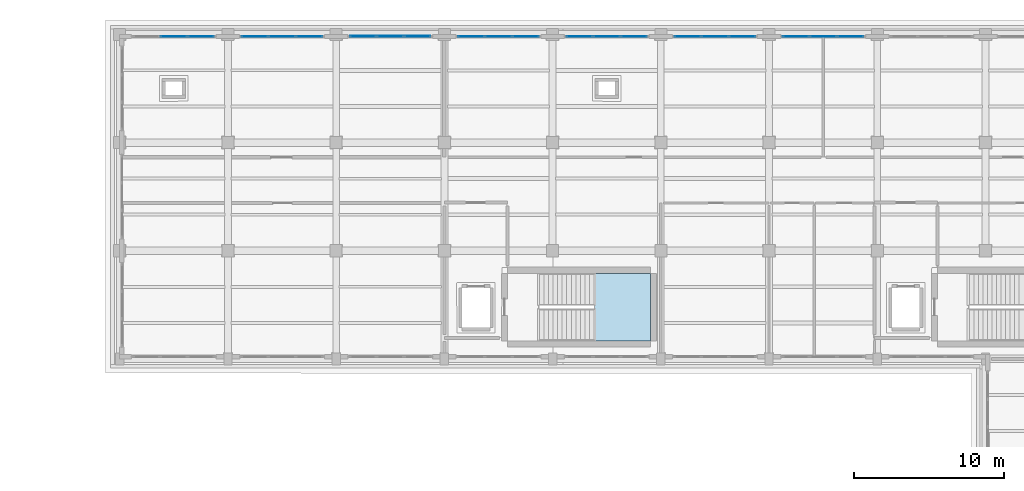
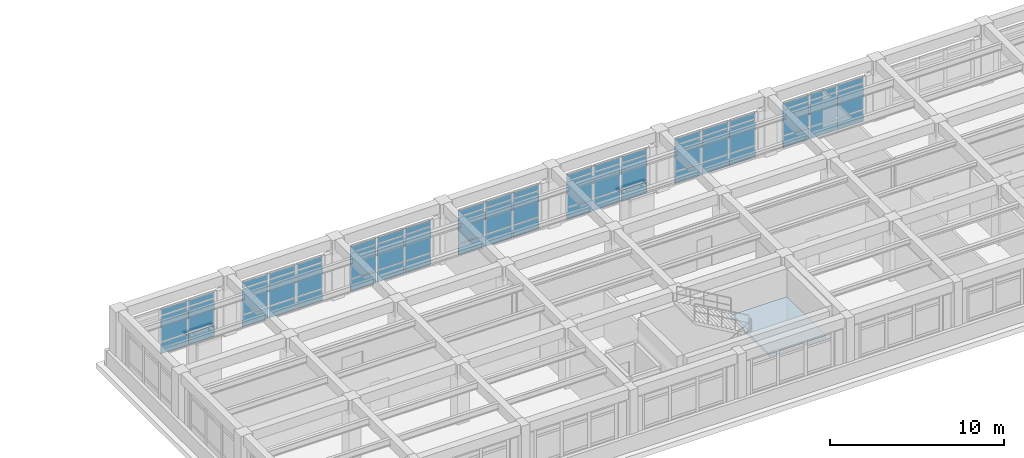
# One storey, part 74 of 98: 60 plates, 1 slab, 8 elements without a shape of their own.
"""IFC4 building model written with IfcOpenShell, lengths in metres."""

from ifc_helpers import new_model, si_unit, direction, frame, origin, origin_2d, place, context, subcontext, project, spatial, polyline, rectangle, outline, extrude, material, layer, layer_set, type_object, element, aggregate, save


model = new_model("IFC4")

# Units and contexts
model_context = context("Model", 3, precision=1e-05, world=origin(), true_north=direction((0.0, 1.0)))
body_context = subcontext(model_context, "Body", "Model", "MODEL_VIEW")
ifc_project = project(units=[si_unit("LENGTHUNIT", "METRE"), si_unit("AREAUNIT", "SQUARE_METRE"), si_unit("VOLUMEUNIT", "CUBIC_METRE"), si_unit("PLANEANGLEUNIT", "RADIAN"), si_unit("MASSUNIT", "GRAM", prefix="KILO")], contexts=[model_context])

# Site, building, storey
site_placement = place(None, origin())
site = spatial("IfcSite", under=ifc_project, at=site_placement, CompositionType="ELEMENT")
building_placement = place(site_placement, origin())
building = spatial("IfcBuilding", under=site, at=building_placement, Name="Solenvale Faculty of Natural Sciences", CompositionType="ELEMENT")
storey_placement = place(building_placement, frame((0.0, 0.0, 9.0)))
storey = spatial("IfcBuildingStorey", under=building, at=storey_placement, Name="L02", CompositionType="ELEMENT", Elevation=9.0)

# Curtain wall, plates
ifc_material_1 = material(Name="Anodised bronze aluminium", Category="aluminium")
ifc_layer_1 = layer(ifc_material_1, 0.179931640625)
ifc_layer_set_1 = layer_set([ifc_layer_1], Name="Anodised bronze aluminium")
curtain_wall_type = type_object("IfcCurtainWallType", Name="CW-TWR-MOD", PredefinedType="USERDEFINED", material=ifc_layer_set_1)
curtain_wall_1_placement = place(storey_placement, origin())
curtain_wall_1 = element("IfcCurtainWall", 1, at=curtain_wall_1_placement, inside=storey, type_object=curtain_wall_type, Name="L02 Curtain Wall CW-L02-P2-E4-B9", ObjectType="UNITISED CURTAIN WALL", PredefinedType="USERDEFINED")
ifc_material_2 = material(Name="North-light skylight glass", Category="glass")
ifc_layer_2 = layer(ifc_material_2, 0.028076171875)
ifc_layer_set_2 = layer_set([ifc_layer_2], Name="North-light skylight glass")
plate_type_1 = type_object("IfcPlateType", Name="CWP-PNL-28", PredefinedType="CURTAIN_PANEL", material=ifc_layer_set_2)
plate_1_placement = place(storey_placement, frame((91.814697265625, 115.0576171875, 0.074951171875), z_axis=(0.0, 0.0, 1.0), x_axis=(-1.0, 0.0, 0.0)))
plate_1 = element("IfcPlate", 2, at=plate_1_placement, type_object=plate_type_1, Name="CW-04 panel 1.1", PredefinedType="CURTAIN_PANEL", context=body_context, shape_type="SweptSolid", body=[
    extrude(rectangle(XDim=1.720947265625, YDim=0.028076171875, at=origin_2d()), origin(), (0.0, 0.0, 1.0), 0.78759765625),
])
plate_2_placement = place(storey_placement, frame((91.814697265625, 115.0576171875, 0.9375), z_axis=(0.0, 0.0, 1.0), x_axis=(-1.0, 0.0, 0.0)))
plate_2 = element("IfcPlate", 3, at=plate_2_placement, type_object=plate_type_1, Name="CW-04 panel 1.2", PredefinedType="CURTAIN_PANEL", context=body_context, shape_type="SweptSolid", body=[
    extrude(rectangle(XDim=1.720947265625, YDim=0.028076171875, at=origin_2d()), origin(), (0.0, 0.0, 1.0), 1.784912109375),
])
plate_3_placement = place(storey_placement, frame((91.814697265625, 115.0576171875, 2.79736328125), z_axis=(0.0, 0.0, 1.0), x_axis=(-1.0, 0.0, 0.0)))
plate_3 = element("IfcPlate", 4, at=plate_3_placement, type_object=plate_type_1, Name="CW-04 panel 1.3", PredefinedType="CURTAIN_PANEL", context=body_context, shape_type="SweptSolid", body=[
    extrude(rectangle(XDim=1.720947265625, YDim=0.028076171875, at=origin_2d()), origin(), (0.0, 0.0, 1.0), 0.387451171875),
])
plate_4_placement = place(storey_placement, frame((90.0, 115.0576171875, 0.074951171875), z_axis=(0.0, 0.0, 1.0), x_axis=(-1.0, 0.0, 0.0)))
plate_4 = element("IfcPlate", 5, at=plate_4_placement, type_object=plate_type_1, Name="CW-04 panel 2.1", PredefinedType="CURTAIN_PANEL", context=body_context, shape_type="SweptSolid", body=[
    extrude(rectangle(XDim=1.75830078125, YDim=0.028076171875, at=origin_2d()), origin(), (0.0, 0.0, 1.0), 0.78759765625),
])
plate_5_placement = place(storey_placement, frame((90.0, 115.0576171875, 0.9375), z_axis=(0.0, 0.0, 1.0), x_axis=(-1.0, 0.0, 0.0)))
plate_5 = element("IfcPlate", 6, at=plate_5_placement, type_object=plate_type_1, Name="CW-04 panel 2.2", PredefinedType="CURTAIN_PANEL", context=body_context, shape_type="SweptSolid", body=[
    extrude(rectangle(XDim=1.75830078125, YDim=0.028076171875, at=origin_2d()), origin(), (0.0, 0.0, 1.0), 1.784912109375),
])
plate_6_placement = place(storey_placement, frame((90.0, 115.0576171875, 2.79736328125), z_axis=(0.0, 0.0, 1.0), x_axis=(-1.0, 0.0, 0.0)))
plate_6 = element("IfcPlate", 7, at=plate_6_placement, type_object=plate_type_1, Name="CW-04 panel 2.3", PredefinedType="CURTAIN_PANEL", context=body_context, shape_type="SweptSolid", body=[
    extrude(rectangle(XDim=1.75830078125, YDim=0.028076171875, at=origin_2d()), origin(), (0.0, 0.0, 1.0), 0.387451171875),
])
plate_7_placement = place(storey_placement, frame((88.185302734375, 115.0576171875, 0.074951171875), z_axis=(0.0, 0.0, 1.0), x_axis=(-1.0, 0.0, 0.0)))
plate_7 = element("IfcPlate", 8, at=plate_7_placement, type_object=plate_type_1, Name="CW-04 panel 3.1", PredefinedType="CURTAIN_PANEL", context=body_context, shape_type="SweptSolid", body=[
    extrude(rectangle(XDim=1.720947265625, YDim=0.028076171875, at=origin_2d()), origin(), (0.0, 0.0, 1.0), 0.78759765625),
])
plate_8_placement = place(storey_placement, frame((88.185302734375, 115.0576171875, 0.9375), z_axis=(0.0, 0.0, 1.0), x_axis=(-1.0, 0.0, 0.0)))
plate_8 = element("IfcPlate", 9, at=plate_8_placement, type_object=plate_type_1, Name="CW-04 panel 3.2", PredefinedType="CURTAIN_PANEL", context=body_context, shape_type="SweptSolid", body=[
    extrude(rectangle(XDim=1.720947265625, YDim=0.028076171875, at=origin_2d()), origin(), (0.0, 0.0, 1.0), 1.784912109375),
])
plate_9_placement = place(storey_placement, frame((88.185302734375, 115.0576171875, 2.79736328125), z_axis=(0.0, 0.0, 1.0), x_axis=(-1.0, 0.0, 0.0)))
plate_9 = element("IfcPlate", 10, at=plate_9_placement, type_object=plate_type_1, Name="CW-04 panel 3.3", PredefinedType="CURTAIN_PANEL", context=body_context, shape_type="SweptSolid", body=[
    extrude(rectangle(XDim=1.720947265625, YDim=0.028076171875, at=origin_2d()), origin(), (0.0, 0.0, 1.0), 0.387451171875),
])
aggregate(curtain_wall_1, [plate_1, plate_2, plate_3, plate_4, plate_5, plate_6, plate_7, plate_8, plate_9])

curtain_wall_2_placement = place(storey_placement, origin())
curtain_wall_2 = element("IfcCurtainWall", 11, at=curtain_wall_2_placement, inside=storey, type_object=curtain_wall_type, Name="L02 Curtain Wall CW-L02-P2-E4-B10", ObjectType="UNITISED CURTAIN WALL", PredefinedType="USERDEFINED")
ifc_material_3 = material(Name="Triple low-E insulated glass", Category="glass")
ifc_layer_3 = layer(ifc_material_3, 0.031982421875)
ifc_layer_set_3 = layer_set([ifc_layer_3], Name="Triple low-E insulated glass")
plate_type_2 = type_object("IfcPlateType", Name="CWP-PNL-32", PredefinedType="CURTAIN_PANEL", material=ifc_layer_set_3)
plate_10_placement = place(storey_placement, frame((84.614501953125, 115.0576171875, 0.074951171875), z_axis=(0.0, 0.0, 1.0), x_axis=(-1.0, 0.0, 0.0)))
plate_10 = element("IfcPlate", 12, at=plate_10_placement, type_object=plate_type_2, Name="CW-04 panel 1.1", PredefinedType="CURTAIN_PANEL", context=body_context, shape_type="SweptSolid", body=[
    extrude(rectangle(XDim=1.720947265625, YDim=0.031982421875, at=origin_2d()), origin(), (0.0, 0.0, 1.0), 0.78759765625),
])
plate_11_placement = place(storey_placement, frame((84.614501953125, 115.0576171875, 0.9375), z_axis=(0.0, 0.0, 1.0), x_axis=(-1.0, 0.0, 0.0)))
plate_11 = element("IfcPlate", 13, at=plate_11_placement, type_object=plate_type_2, Name="CW-04 panel 1.2", PredefinedType="CURTAIN_PANEL", context=body_context, shape_type="SweptSolid", body=[
    extrude(rectangle(XDim=1.720947265625, YDim=0.031982421875, at=origin_2d()), origin(), (0.0, 0.0, 1.0), 1.784912109375),
])
plate_12_placement = place(storey_placement, frame((84.614501953125, 115.0576171875, 2.79736328125), z_axis=(0.0, 0.0, 1.0), x_axis=(-1.0, 0.0, 0.0)))
plate_12 = element("IfcPlate", 14, at=plate_12_placement, type_object=plate_type_2, Name="CW-04 panel 1.3", PredefinedType="CURTAIN_PANEL", context=body_context, shape_type="SweptSolid", body=[
    extrude(rectangle(XDim=1.720947265625, YDim=0.031982421875, at=origin_2d()), origin(), (0.0, 0.0, 1.0), 0.387451171875),
])
plate_13_placement = place(storey_placement, frame((82.800048828125, 115.0576171875, 0.074951171875), z_axis=(0.0, 0.0, 1.0), x_axis=(-1.0, 0.0, 0.0)))
plate_13 = element("IfcPlate", 15, at=plate_13_placement, type_object=plate_type_2, Name="CW-04 panel 2.1", PredefinedType="CURTAIN_PANEL", context=body_context, shape_type="SweptSolid", body=[
    extrude(rectangle(XDim=1.75830078125, YDim=0.031982421875, at=origin_2d()), origin(), (0.0, 0.0, 1.0), 0.78759765625),
])
plate_14_placement = place(storey_placement, frame((82.800048828125, 115.0576171875, 0.9375), z_axis=(0.0, 0.0, 1.0), x_axis=(-1.0, 0.0, 0.0)))
plate_14 = element("IfcPlate", 16, at=plate_14_placement, type_object=plate_type_2, Name="CW-04 panel 2.2", PredefinedType="CURTAIN_PANEL", context=body_context, shape_type="SweptSolid", body=[
    extrude(rectangle(XDim=1.75830078125, YDim=0.031982421875, at=origin_2d()), origin(), (0.0, 0.0, 1.0), 1.784912109375),
])
plate_15_placement = place(storey_placement, frame((82.800048828125, 115.0576171875, 2.79736328125), z_axis=(0.0, 0.0, 1.0), x_axis=(-1.0, 0.0, 0.0)))
plate_15 = element("IfcPlate", 17, at=plate_15_placement, type_object=plate_type_2, Name="CW-04 panel 2.3", PredefinedType="CURTAIN_PANEL", context=body_context, shape_type="SweptSolid", body=[
    extrude(rectangle(XDim=1.75830078125, YDim=0.031982421875, at=origin_2d()), origin(), (0.0, 0.0, 1.0), 0.387451171875),
])
aggregate(curtain_wall_2, [plate_10, plate_11, plate_12, plate_13, plate_14, plate_15])

curtain_wall_3_placement = place(storey_placement, origin())
curtain_wall_3 = element("IfcCurtainWall", 18, at=curtain_wall_3_placement, inside=storey, type_object=curtain_wall_type, Name="L02 Curtain Wall CW-L02-P2-E4-B4", ObjectType="UNITISED CURTAIN WALL", PredefinedType="USERDEFINED")
ifc_layer_4 = layer(ifc_material_3, 0.0400390625)
ifc_layer_set_4 = layer_set([ifc_layer_4], Name="Triple low-E insulated glass")
plate_type_3 = type_object("IfcPlateType", Name="CWP-PNL-40", PredefinedType="CURTAIN_PANEL", material=ifc_layer_set_4)
plate_16_placement = place(storey_placement, frame((127.814697265625, 115.0576171875, 0.074951171875), z_axis=(0.0, 0.0, 1.0), x_axis=(-1.0, 0.0, 0.0)))
plate_16 = element("IfcPlate", 19, at=plate_16_placement, type_object=plate_type_3, Name="CW-04 panel 1.1", PredefinedType="CURTAIN_PANEL", context=body_context, shape_type="SweptSolid", body=[
    extrude(rectangle(XDim=1.720947265625, YDim=0.0400390625, at=origin_2d()), origin(), (0.0, 0.0, 1.0), 0.78759765625),
])
plate_17_placement = place(storey_placement, frame((127.814697265625, 115.0576171875, 0.9375), z_axis=(0.0, 0.0, 1.0), x_axis=(-1.0, 0.0, 0.0)))
plate_17 = element("IfcPlate", 20, at=plate_17_placement, type_object=plate_type_3, Name="CW-04 panel 1.2", PredefinedType="CURTAIN_PANEL", context=body_context, shape_type="SweptSolid", body=[
    extrude(rectangle(XDim=1.720947265625, YDim=0.0400390625, at=origin_2d()), origin(), (0.0, 0.0, 1.0), 1.784912109375),
])
plate_18_placement = place(storey_placement, frame((127.814697265625, 115.0576171875, 2.79736328125), z_axis=(0.0, 0.0, 1.0), x_axis=(-1.0, 0.0, 0.0)))
plate_18 = element("IfcPlate", 21, at=plate_18_placement, type_object=plate_type_3, Name="CW-04 panel 1.3", PredefinedType="CURTAIN_PANEL", context=body_context, shape_type="SweptSolid", body=[
    extrude(rectangle(XDim=1.720947265625, YDim=0.0400390625, at=origin_2d()), origin(), (0.0, 0.0, 1.0), 0.387451171875),
])
plate_19_placement = place(storey_placement, frame((126.0, 115.0576171875, 0.074951171875), z_axis=(0.0, 0.0, 1.0), x_axis=(-1.0, 0.0, 0.0)))
plate_19 = element("IfcPlate", 22, at=plate_19_placement, type_object=plate_type_3, Name="CW-04 panel 2.1", PredefinedType="CURTAIN_PANEL", context=body_context, shape_type="SweptSolid", body=[
    extrude(rectangle(XDim=1.75830078125, YDim=0.0400390625, at=origin_2d()), origin(), (0.0, 0.0, 1.0), 0.78759765625),
])
plate_20_placement = place(storey_placement, frame((126.0, 115.0576171875, 0.9375), z_axis=(0.0, 0.0, 1.0), x_axis=(-1.0, 0.0, 0.0)))
plate_20 = element("IfcPlate", 23, at=plate_20_placement, type_object=plate_type_3, Name="CW-04 panel 2.2", PredefinedType="CURTAIN_PANEL", context=body_context, shape_type="SweptSolid", body=[
    extrude(rectangle(XDim=1.75830078125, YDim=0.0400390625, at=origin_2d()), origin(), (0.0, 0.0, 1.0), 1.784912109375),
])
plate_21_placement = place(storey_placement, frame((126.0, 115.0576171875, 2.79736328125), z_axis=(0.0, 0.0, 1.0), x_axis=(-1.0, 0.0, 0.0)))
plate_21 = element("IfcPlate", 24, at=plate_21_placement, type_object=plate_type_3, Name="CW-04 panel 2.3", PredefinedType="CURTAIN_PANEL", context=body_context, shape_type="SweptSolid", body=[
    extrude(rectangle(XDim=1.75830078125, YDim=0.0400390625, at=origin_2d()), origin(), (0.0, 0.0, 1.0), 0.387451171875),
])
plate_22_placement = place(storey_placement, frame((124.185302734375, 115.0576171875, 0.074951171875), z_axis=(0.0, 0.0, 1.0), x_axis=(-1.0, 0.0, 0.0)))
plate_22 = element("IfcPlate", 25, at=plate_22_placement, type_object=plate_type_3, Name="CW-04 panel 3.1", PredefinedType="CURTAIN_PANEL", context=body_context, shape_type="SweptSolid", body=[
    extrude(rectangle(XDim=1.720947265625, YDim=0.0400390625, at=origin_2d()), origin(), (0.0, 0.0, 1.0), 0.78759765625),
])
plate_23_placement = place(storey_placement, frame((124.185302734375, 115.0576171875, 0.9375), z_axis=(0.0, 0.0, 1.0), x_axis=(-1.0, 0.0, 0.0)))
plate_23 = element("IfcPlate", 26, at=plate_23_placement, type_object=plate_type_3, Name="CW-04 panel 3.2", PredefinedType="CURTAIN_PANEL", context=body_context, shape_type="SweptSolid", body=[
    extrude(rectangle(XDim=1.720947265625, YDim=0.0400390625, at=origin_2d()), origin(), (0.0, 0.0, 1.0), 1.784912109375),
])
plate_24_placement = place(storey_placement, frame((124.185302734375, 115.0576171875, 2.79736328125), z_axis=(0.0, 0.0, 1.0), x_axis=(-1.0, 0.0, 0.0)))
plate_24 = element("IfcPlate", 27, at=plate_24_placement, type_object=plate_type_3, Name="CW-04 panel 3.3", PredefinedType="CURTAIN_PANEL", context=body_context, shape_type="SweptSolid", body=[
    extrude(rectangle(XDim=1.720947265625, YDim=0.0400390625, at=origin_2d()), origin(), (0.0, 0.0, 1.0), 0.387451171875),
])
aggregate(curtain_wall_3, [plate_16, plate_17, plate_18, plate_19, plate_20, plate_21, plate_22, plate_23, plate_24])

curtain_wall_4_placement = place(storey_placement, origin())
curtain_wall_4 = element("IfcCurtainWall", 28, at=curtain_wall_4_placement, inside=storey, type_object=curtain_wall_type, Name="L02 Curtain Wall CW-L02-P2-E4-B5", ObjectType="UNITISED CURTAIN WALL", PredefinedType="USERDEFINED")
ifc_layer_5 = layer(ifc_material_3, 0.0439453125)
ifc_layer_set_5 = layer_set([ifc_layer_5], Name="Triple low-E insulated glass")
plate_type_4 = type_object("IfcPlateType", Name="CWP-PNL-44", PredefinedType="CURTAIN_PANEL", material=ifc_layer_set_5)
plate_25_placement = place(storey_placement, frame((120.614501953125, 115.0576171875, 0.074951171875), z_axis=(0.0, 0.0, 1.0), x_axis=(-1.0, 0.0, 0.0)))
plate_25 = element("IfcPlate", 29, at=plate_25_placement, type_object=plate_type_4, Name="CW-04 panel 1.1", PredefinedType="CURTAIN_PANEL", context=body_context, shape_type="SweptSolid", body=[
    extrude(rectangle(XDim=1.720947265625, YDim=0.0439453125, at=origin_2d()), origin(), (0.0, 0.0, 1.0), 0.78759765625),
])
plate_26_placement = place(storey_placement, frame((120.614501953125, 115.0576171875, 0.9375), z_axis=(0.0, 0.0, 1.0), x_axis=(-1.0, 0.0, 0.0)))
plate_26 = element("IfcPlate", 30, at=plate_26_placement, type_object=plate_type_4, Name="CW-04 panel 1.2", PredefinedType="CURTAIN_PANEL", context=body_context, shape_type="SweptSolid", body=[
    extrude(rectangle(XDim=1.720947265625, YDim=0.0439453125, at=origin_2d()), origin(), (0.0, 0.0, 1.0), 1.784912109375),
])
plate_27_placement = place(storey_placement, frame((120.614501953125, 115.0576171875, 2.79736328125), z_axis=(0.0, 0.0, 1.0), x_axis=(-1.0, 0.0, 0.0)))
plate_27 = element("IfcPlate", 31, at=plate_27_placement, type_object=plate_type_4, Name="CW-04 panel 1.3", PredefinedType="CURTAIN_PANEL", context=body_context, shape_type="SweptSolid", body=[
    extrude(rectangle(XDim=1.720947265625, YDim=0.0439453125, at=origin_2d()), origin(), (0.0, 0.0, 1.0), 0.387451171875),
])
plate_28_placement = place(storey_placement, frame((118.800048828125, 115.0576171875, 0.074951171875), z_axis=(0.0, 0.0, 1.0), x_axis=(-1.0, 0.0, 0.0)))
plate_28 = element("IfcPlate", 32, at=plate_28_placement, type_object=plate_type_4, Name="CW-04 panel 2.1", PredefinedType="CURTAIN_PANEL", context=body_context, shape_type="SweptSolid", body=[
    extrude(rectangle(XDim=1.75830078125, YDim=0.0439453125, at=origin_2d()), origin(), (0.0, 0.0, 1.0), 0.78759765625),
])
plate_29_placement = place(storey_placement, frame((118.800048828125, 115.0576171875, 0.9375), z_axis=(0.0, 0.0, 1.0), x_axis=(-1.0, 0.0, 0.0)))
plate_29 = element("IfcPlate", 33, at=plate_29_placement, type_object=plate_type_4, Name="CW-04 panel 2.2", PredefinedType="CURTAIN_PANEL", context=body_context, shape_type="SweptSolid", body=[
    extrude(rectangle(XDim=1.75830078125, YDim=0.0439453125, at=origin_2d()), origin(), (0.0, 0.0, 1.0), 1.784912109375),
])
plate_30_placement = place(storey_placement, frame((118.800048828125, 115.0576171875, 2.79736328125), z_axis=(0.0, 0.0, 1.0), x_axis=(-1.0, 0.0, 0.0)))
plate_30 = element("IfcPlate", 34, at=plate_30_placement, type_object=plate_type_4, Name="CW-04 panel 2.3", PredefinedType="CURTAIN_PANEL", context=body_context, shape_type="SweptSolid", body=[
    extrude(rectangle(XDim=1.75830078125, YDim=0.0439453125, at=origin_2d()), origin(), (0.0, 0.0, 1.0), 0.387451171875),
])
plate_31_placement = place(storey_placement, frame((116.9853515625, 115.0576171875, 0.074951171875), z_axis=(0.0, 0.0, 1.0), x_axis=(-1.0, 0.0, 0.0)))
plate_31 = element("IfcPlate", 35, at=plate_31_placement, type_object=plate_type_4, Name="CW-04 panel 3.1", PredefinedType="CURTAIN_PANEL", context=body_context, shape_type="SweptSolid", body=[
    extrude(rectangle(XDim=1.720947265625, YDim=0.0439453125, at=origin_2d()), origin(), (0.0, 0.0, 1.0), 0.78759765625),
])
plate_32_placement = place(storey_placement, frame((116.9853515625, 115.0576171875, 0.9375), z_axis=(0.0, 0.0, 1.0), x_axis=(-1.0, 0.0, 0.0)))
plate_32 = element("IfcPlate", 36, at=plate_32_placement, type_object=plate_type_4, Name="CW-04 panel 3.2", PredefinedType="CURTAIN_PANEL", context=body_context, shape_type="SweptSolid", body=[
    extrude(rectangle(XDim=1.720947265625, YDim=0.0439453125, at=origin_2d()), origin(), (0.0, 0.0, 1.0), 1.784912109375),
])
plate_33_placement = place(storey_placement, frame((116.9853515625, 115.0576171875, 2.79736328125), z_axis=(0.0, 0.0, 1.0), x_axis=(-1.0, 0.0, 0.0)))
plate_33 = element("IfcPlate", 37, at=plate_33_placement, type_object=plate_type_4, Name="CW-04 panel 3.3", PredefinedType="CURTAIN_PANEL", context=body_context, shape_type="SweptSolid", body=[
    extrude(rectangle(XDim=1.720947265625, YDim=0.0439453125, at=origin_2d()), origin(), (0.0, 0.0, 1.0), 0.387451171875),
])
aggregate(curtain_wall_4, [plate_25, plate_26, plate_27, plate_28, plate_29, plate_30, plate_31, plate_32, plate_33])

curtain_wall_5_placement = place(storey_placement, origin())
curtain_wall_5 = element("IfcCurtainWall", 38, at=curtain_wall_5_placement, inside=storey, type_object=curtain_wall_type, Name="L02 Curtain Wall CW-L02-P2-E4-B6", ObjectType="UNITISED CURTAIN WALL", PredefinedType="USERDEFINED")
ifc_layer_6 = layer(ifc_material_1, 0.048095703125)
ifc_layer_set_6 = layer_set([ifc_layer_6], Name="Anodised bronze aluminium")
plate_type_5 = type_object("IfcPlateType", Name="CWP-PNL-48", PredefinedType="CURTAIN_PANEL", material=ifc_layer_set_6)
plate_34_placement = place(storey_placement, frame((113.41455078125, 115.0576171875, 0.074951171875), z_axis=(0.0, 0.0, 1.0), x_axis=(-1.0, 0.0, 0.0)))
plate_34 = element("IfcPlate", 39, at=plate_34_placement, type_object=plate_type_5, Name="CW-04 panel 1.1", PredefinedType="CURTAIN_PANEL", context=body_context, shape_type="SweptSolid", body=[
    extrude(rectangle(XDim=1.720947265625, YDim=0.048095703125, at=origin_2d()), origin(), (0.0, 0.0, 1.0), 0.78759765625),
])
plate_35_placement = place(storey_placement, frame((113.41455078125, 115.0576171875, 0.9375), z_axis=(0.0, 0.0, 1.0), x_axis=(-1.0, 0.0, 0.0)))
plate_35 = element("IfcPlate", 40, at=plate_35_placement, type_object=plate_type_5, Name="CW-04 panel 1.2", PredefinedType="CURTAIN_PANEL", context=body_context, shape_type="SweptSolid", body=[
    extrude(rectangle(XDim=1.720947265625, YDim=0.048095703125, at=origin_2d()), origin(), (0.0, 0.0, 1.0), 1.784912109375),
])
plate_36_placement = place(storey_placement, frame((113.41455078125, 115.0576171875, 2.79736328125), z_axis=(0.0, 0.0, 1.0), x_axis=(-1.0, 0.0, 0.0)))
plate_36 = element("IfcPlate", 41, at=plate_36_placement, type_object=plate_type_5, Name="CW-04 panel 1.3", PredefinedType="CURTAIN_PANEL", context=body_context, shape_type="SweptSolid", body=[
    extrude(rectangle(XDim=1.720947265625, YDim=0.048095703125, at=origin_2d()), origin(), (0.0, 0.0, 1.0), 0.387451171875),
])
plate_37_placement = place(storey_placement, frame((111.60009765625, 115.0576171875, 0.074951171875), z_axis=(0.0, 0.0, 1.0), x_axis=(-1.0, 0.0, 0.0)))
plate_37 = element("IfcPlate", 42, at=plate_37_placement, type_object=plate_type_5, Name="CW-04 panel 2.1", PredefinedType="CURTAIN_PANEL", context=body_context, shape_type="SweptSolid", body=[
    extrude(rectangle(XDim=1.75830078125, YDim=0.048095703125, at=origin_2d()), origin(), (0.0, 0.0, 1.0), 0.78759765625),
])
plate_38_placement = place(storey_placement, frame((111.60009765625, 115.0576171875, 0.9375), z_axis=(0.0, 0.0, 1.0), x_axis=(-1.0, 0.0, 0.0)))
plate_38 = element("IfcPlate", 43, at=plate_38_placement, type_object=plate_type_5, Name="CW-04 panel 2.2", PredefinedType="CURTAIN_PANEL", context=body_context, shape_type="SweptSolid", body=[
    extrude(rectangle(XDim=1.75830078125, YDim=0.048095703125, at=origin_2d()), origin(), (0.0, 0.0, 1.0), 1.784912109375),
])
plate_39_placement = place(storey_placement, frame((111.60009765625, 115.0576171875, 2.79736328125), z_axis=(0.0, 0.0, 1.0), x_axis=(-1.0, 0.0, 0.0)))
plate_39 = element("IfcPlate", 44, at=plate_39_placement, type_object=plate_type_5, Name="CW-04 panel 2.3", PredefinedType="CURTAIN_PANEL", context=body_context, shape_type="SweptSolid", body=[
    extrude(rectangle(XDim=1.75830078125, YDim=0.048095703125, at=origin_2d()), origin(), (0.0, 0.0, 1.0), 0.387451171875),
])
plate_40_placement = place(storey_placement, frame((109.785400390625, 115.0576171875, 0.074951171875), z_axis=(0.0, 0.0, 1.0), x_axis=(-1.0, 0.0, 0.0)))
plate_40 = element("IfcPlate", 45, at=plate_40_placement, type_object=plate_type_5, Name="CW-04 panel 3.1", PredefinedType="CURTAIN_PANEL", context=body_context, shape_type="SweptSolid", body=[
    extrude(rectangle(XDim=1.720947265625, YDim=0.048095703125, at=origin_2d()), origin(), (0.0, 0.0, 1.0), 0.78759765625),
])
plate_41_placement = place(storey_placement, frame((109.785400390625, 115.0576171875, 0.9375), z_axis=(0.0, 0.0, 1.0), x_axis=(-1.0, 0.0, 0.0)))
plate_41 = element("IfcPlate", 46, at=plate_41_placement, type_object=plate_type_5, Name="CW-04 panel 3.2", PredefinedType="CURTAIN_PANEL", context=body_context, shape_type="SweptSolid", body=[
    extrude(rectangle(XDim=1.720947265625, YDim=0.048095703125, at=origin_2d()), origin(), (0.0, 0.0, 1.0), 1.784912109375),
])
plate_42_placement = place(storey_placement, frame((109.785400390625, 115.0576171875, 2.79736328125), z_axis=(0.0, 0.0, 1.0), x_axis=(-1.0, 0.0, 0.0)))
plate_42 = element("IfcPlate", 47, at=plate_42_placement, type_object=plate_type_5, Name="CW-04 panel 3.3", PredefinedType="CURTAIN_PANEL", context=body_context, shape_type="SweptSolid", body=[
    extrude(rectangle(XDim=1.720947265625, YDim=0.048095703125, at=origin_2d()), origin(), (0.0, 0.0, 1.0), 0.387451171875),
])
aggregate(curtain_wall_5, [plate_34, plate_35, plate_36, plate_37, plate_38, plate_39, plate_40, plate_41, plate_42])

curtain_wall_6_placement = place(storey_placement, origin())
curtain_wall_6 = element("IfcCurtainWall", 48, at=curtain_wall_6_placement, inside=storey, type_object=curtain_wall_type, Name="L02 Curtain Wall CW-L02-P2-E4-B7", ObjectType="UNITISED CURTAIN WALL", PredefinedType="USERDEFINED")
ifc_layer_7 = layer(ifc_material_1, 0.053955078125)
ifc_layer_set_7 = layer_set([ifc_layer_7], Name="Anodised bronze aluminium")
plate_type_6 = type_object("IfcPlateType", Name="CWP-PNL-54", PredefinedType="CURTAIN_PANEL", material=ifc_layer_set_7)
plate_43_placement = place(storey_placement, frame((106.214599609375, 115.0576171875, 0.074951171875), z_axis=(0.0, 0.0, 1.0), x_axis=(-1.0, 0.0, 0.0)))
plate_43 = element("IfcPlate", 49, at=plate_43_placement, type_object=plate_type_6, Name="CW-04 panel 1.1", PredefinedType="CURTAIN_PANEL", context=body_context, shape_type="SweptSolid", body=[
    extrude(rectangle(XDim=1.720947265625, YDim=0.053955078125, at=origin_2d()), origin(), (0.0, 0.0, 1.0), 0.78759765625),
])
plate_44_placement = place(storey_placement, frame((106.214599609375, 115.0576171875, 0.9375), z_axis=(0.0, 0.0, 1.0), x_axis=(-1.0, 0.0, 0.0)))
plate_44 = element("IfcPlate", 50, at=plate_44_placement, type_object=plate_type_6, Name="CW-04 panel 1.2", PredefinedType="CURTAIN_PANEL", context=body_context, shape_type="SweptSolid", body=[
    extrude(rectangle(XDim=1.720947265625, YDim=0.053955078125, at=origin_2d()), origin(), (0.0, 0.0, 1.0), 1.784912109375),
])
plate_45_placement = place(storey_placement, frame((106.214599609375, 115.0576171875, 2.79736328125), z_axis=(0.0, 0.0, 1.0), x_axis=(-1.0, 0.0, 0.0)))
plate_45 = element("IfcPlate", 51, at=plate_45_placement, type_object=plate_type_6, Name="CW-04 panel 1.3", PredefinedType="CURTAIN_PANEL", context=body_context, shape_type="SweptSolid", body=[
    extrude(rectangle(XDim=1.720947265625, YDim=0.053955078125, at=origin_2d()), origin(), (0.0, 0.0, 1.0), 0.387451171875),
])
plate_46_placement = place(storey_placement, frame((104.39990234375, 115.0576171875, 0.074951171875), z_axis=(0.0, 0.0, 1.0), x_axis=(-1.0, 0.0, 0.0)))
plate_46 = element("IfcPlate", 52, at=plate_46_placement, type_object=plate_type_6, Name="CW-04 panel 2.1", PredefinedType="CURTAIN_PANEL", context=body_context, shape_type="SweptSolid", body=[
    extrude(rectangle(XDim=1.75830078125, YDim=0.053955078125, at=origin_2d()), origin(), (0.0, 0.0, 1.0), 0.78759765625),
])
plate_47_placement = place(storey_placement, frame((104.39990234375, 115.0576171875, 0.9375), z_axis=(0.0, 0.0, 1.0), x_axis=(-1.0, 0.0, 0.0)))
plate_47 = element("IfcPlate", 53, at=plate_47_placement, type_object=plate_type_6, Name="CW-04 panel 2.2", PredefinedType="CURTAIN_PANEL", context=body_context, shape_type="SweptSolid", body=[
    extrude(rectangle(XDim=1.75830078125, YDim=0.053955078125, at=origin_2d()), origin(), (0.0, 0.0, 1.0), 1.784912109375),
])
plate_48_placement = place(storey_placement, frame((104.39990234375, 115.0576171875, 2.79736328125), z_axis=(0.0, 0.0, 1.0), x_axis=(-1.0, 0.0, 0.0)))
plate_48 = element("IfcPlate", 54, at=plate_48_placement, type_object=plate_type_6, Name="CW-04 panel 2.3", PredefinedType="CURTAIN_PANEL", context=body_context, shape_type="SweptSolid", body=[
    extrude(rectangle(XDim=1.75830078125, YDim=0.053955078125, at=origin_2d()), origin(), (0.0, 0.0, 1.0), 0.387451171875),
])
plate_49_placement = place(storey_placement, frame((102.58544921875, 115.0576171875, 0.074951171875), z_axis=(0.0, 0.0, 1.0), x_axis=(-1.0, 0.0, 0.0)))
plate_49 = element("IfcPlate", 55, at=plate_49_placement, type_object=plate_type_6, Name="CW-04 panel 3.1", PredefinedType="CURTAIN_PANEL", context=body_context, shape_type="SweptSolid", body=[
    extrude(rectangle(XDim=1.720947265625, YDim=0.053955078125, at=origin_2d()), origin(), (0.0, 0.0, 1.0), 0.78759765625),
])
plate_50_placement = place(storey_placement, frame((102.58544921875, 115.0576171875, 0.9375), z_axis=(0.0, 0.0, 1.0), x_axis=(-1.0, 0.0, 0.0)))
plate_50 = element("IfcPlate", 56, at=plate_50_placement, type_object=plate_type_6, Name="CW-04 panel 3.2", PredefinedType="CURTAIN_PANEL", context=body_context, shape_type="SweptSolid", body=[
    extrude(rectangle(XDim=1.720947265625, YDim=0.053955078125, at=origin_2d()), origin(), (0.0, 0.0, 1.0), 1.784912109375),
])
plate_51_placement = place(storey_placement, frame((102.58544921875, 115.0576171875, 2.79736328125), z_axis=(0.0, 0.0, 1.0), x_axis=(-1.0, 0.0, 0.0)))
plate_51 = element("IfcPlate", 57, at=plate_51_placement, type_object=plate_type_6, Name="CW-04 panel 3.3", PredefinedType="CURTAIN_PANEL", context=body_context, shape_type="SweptSolid", body=[
    extrude(rectangle(XDim=1.720947265625, YDim=0.053955078125, at=origin_2d()), origin(), (0.0, 0.0, 1.0), 0.387451171875),
])
aggregate(curtain_wall_6, [plate_43, plate_44, plate_45, plate_46, plate_47, plate_48, plate_49, plate_50, plate_51])

curtain_wall_7_placement = place(storey_placement, origin())
curtain_wall_7 = element("IfcCurtainWall", 58, at=curtain_wall_7_placement, inside=storey, type_object=curtain_wall_type, Name="L02 Curtain Wall CW-L02-P2-E4-B8", ObjectType="UNITISED CURTAIN WALL", PredefinedType="USERDEFINED")
ifc_layer_8 = layer(ifc_material_1, 0.06005859375)
ifc_layer_set_8 = layer_set([ifc_layer_8], Name="Anodised bronze aluminium")
plate_type_7 = type_object("IfcPlateType", Name="CWP-PNL-60", PredefinedType="CURTAIN_PANEL", material=ifc_layer_set_8)
plate_52_placement = place(storey_placement, frame((99.0146484375, 115.0576171875, 0.074951171875), z_axis=(0.0, 0.0, 1.0), x_axis=(-1.0, 0.0, 0.0)))
plate_52 = element("IfcPlate", 59, at=plate_52_placement, type_object=plate_type_7, Name="CW-04 panel 1.1", PredefinedType="CURTAIN_PANEL", context=body_context, shape_type="SweptSolid", body=[
    extrude(rectangle(XDim=1.720947265625, YDim=0.06005859375, at=origin_2d()), origin(), (0.0, 0.0, 1.0), 0.78759765625),
])
plate_53_placement = place(storey_placement, frame((99.0146484375, 115.0576171875, 0.9375), z_axis=(0.0, 0.0, 1.0), x_axis=(-1.0, 0.0, 0.0)))
plate_53 = element("IfcPlate", 60, at=plate_53_placement, type_object=plate_type_7, Name="CW-04 panel 1.2", PredefinedType="CURTAIN_PANEL", context=body_context, shape_type="SweptSolid", body=[
    extrude(rectangle(XDim=1.720947265625, YDim=0.06005859375, at=origin_2d()), origin(), (0.0, 0.0, 1.0), 1.784912109375),
])
plate_54_placement = place(storey_placement, frame((99.0146484375, 115.0576171875, 2.79736328125), z_axis=(0.0, 0.0, 1.0), x_axis=(-1.0, 0.0, 0.0)))
plate_54 = element("IfcPlate", 61, at=plate_54_placement, type_object=plate_type_7, Name="CW-04 panel 1.3", PredefinedType="CURTAIN_PANEL", context=body_context, shape_type="SweptSolid", body=[
    extrude(rectangle(XDim=1.720947265625, YDim=0.06005859375, at=origin_2d()), origin(), (0.0, 0.0, 1.0), 0.387451171875),
])
plate_55_placement = place(storey_placement, frame((97.199951171875, 115.0576171875, 0.074951171875), z_axis=(0.0, 0.0, 1.0), x_axis=(-1.0, 0.0, 0.0)))
plate_55 = element("IfcPlate", 62, at=plate_55_placement, type_object=plate_type_7, Name="CW-04 panel 2.1", PredefinedType="CURTAIN_PANEL", context=body_context, shape_type="SweptSolid", body=[
    extrude(rectangle(XDim=1.75830078125, YDim=0.06005859375, at=origin_2d()), origin(), (0.0, 0.0, 1.0), 0.78759765625),
])
plate_56_placement = place(storey_placement, frame((97.199951171875, 115.0576171875, 0.9375), z_axis=(0.0, 0.0, 1.0), x_axis=(-1.0, 0.0, 0.0)))
plate_56 = element("IfcPlate", 63, at=plate_56_placement, type_object=plate_type_7, Name="CW-04 panel 2.2", PredefinedType="CURTAIN_PANEL", context=body_context, shape_type="SweptSolid", body=[
    extrude(rectangle(XDim=1.75830078125, YDim=0.06005859375, at=origin_2d()), origin(), (0.0, 0.0, 1.0), 1.784912109375),
])
plate_57_placement = place(storey_placement, frame((97.199951171875, 115.0576171875, 2.79736328125), z_axis=(0.0, 0.0, 1.0), x_axis=(-1.0, 0.0, 0.0)))
plate_57 = element("IfcPlate", 64, at=plate_57_placement, type_object=plate_type_7, Name="CW-04 panel 2.3", PredefinedType="CURTAIN_PANEL", context=body_context, shape_type="SweptSolid", body=[
    extrude(rectangle(XDim=1.75830078125, YDim=0.06005859375, at=origin_2d()), origin(), (0.0, 0.0, 1.0), 0.387451171875),
])
plate_58_placement = place(storey_placement, frame((95.385498046875, 115.0576171875, 0.074951171875), z_axis=(0.0, 0.0, 1.0), x_axis=(-1.0, 0.0, 0.0)))
plate_58 = element("IfcPlate", 65, at=plate_58_placement, type_object=plate_type_7, Name="CW-04 panel 3.1", PredefinedType="CURTAIN_PANEL", context=body_context, shape_type="SweptSolid", body=[
    extrude(rectangle(XDim=1.720947265625, YDim=0.06005859375, at=origin_2d()), origin(), (0.0, 0.0, 1.0), 0.78759765625),
])
plate_59_placement = place(storey_placement, frame((95.385498046875, 115.0576171875, 0.9375), z_axis=(0.0, 0.0, 1.0), x_axis=(-1.0, 0.0, 0.0)))
plate_59 = element("IfcPlate", 66, at=plate_59_placement, type_object=plate_type_7, Name="CW-04 panel 3.2", PredefinedType="CURTAIN_PANEL", context=body_context, shape_type="SweptSolid", body=[
    extrude(rectangle(XDim=1.720947265625, YDim=0.06005859375, at=origin_2d()), origin(), (0.0, 0.0, 1.0), 1.784912109375),
])
plate_60_placement = place(storey_placement, frame((95.385498046875, 115.0576171875, 2.79736328125), z_axis=(0.0, 0.0, 1.0), x_axis=(-1.0, 0.0, 0.0)))
plate_60 = element("IfcPlate", 67, at=plate_60_placement, type_object=plate_type_7, Name="CW-04 panel 3.3", PredefinedType="CURTAIN_PANEL", context=body_context, shape_type="SweptSolid", body=[
    extrude(rectangle(XDim=1.720947265625, YDim=0.06005859375, at=origin_2d()), origin(), (0.0, 0.0, 1.0), 0.387451171875),
])
aggregate(curtain_wall_7, [plate_52, plate_53, plate_54, plate_55, plate_56, plate_57, plate_58, plate_59, plate_60])

# Stair, slab
ifc_material_4 = material(Name="Concrete 40 MPa", Category="concrete")
stair_type = type_object("IfcStairType", Name="STR-CORE-25R", PredefinedType="DOUBLE_RETURN_STAIR", material=ifc_material_4)
stair_placement = place(storey_placement, origin())
stair = element("IfcStair", 68, at=stair_placement, inside=storey, type_object=stair_type, Name="L02 Protected Exit Stair ST-04", PredefinedType="DOUBLE_RETURN_STAIR")
ifc_layer_9 = layer(ifc_material_4, 0.195068359375)
ifc_layer_set_9 = layer_set([ifc_layer_9], Name="Concrete 40 MPa")
slab_type = type_object("IfcSlabType", Name="SL-LND-195", PredefinedType="LANDING", material=ifc_layer_set_9)
slab_placement = place(storey_placement, frame((0.0, 0.0, 2.050048828125)))
slab = element("IfcSlab", 69, at=slab_placement, type_object=slab_type, Name="ST-04 landing 1", PredefinedType="LANDING", context=body_context, shape_type="SweptSolid", body=[
    extrude(outline(polyline([(110.739990234375, 94.800048828125), (114.5, 94.800048828125), (114.5, 99.300048828125), (110.739990234375, 99.300048828125), (110.739990234375, 94.800048828125)])), origin(), (0.0, 0.0, 1.0), 0.199951171875),
])
aggregate(stair, [slab])

save(model, "model.ifc")
